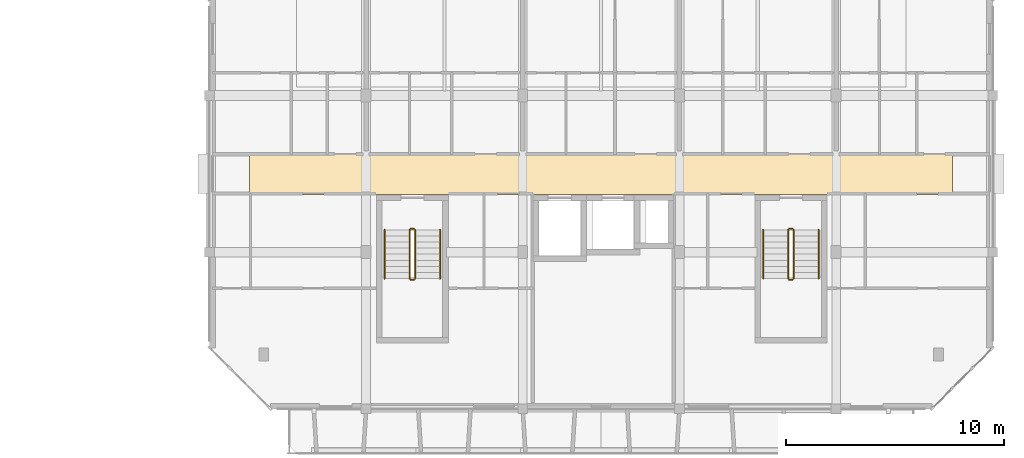
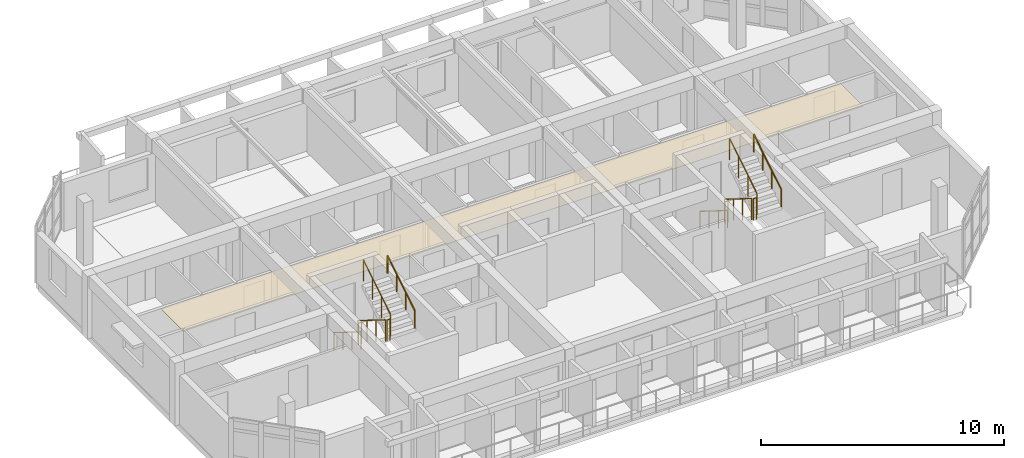
# One storey, part 29 of 30: 12 railings, 1 covering.
"""IFC4 building model written with IfcOpenShell, lengths in metres."""

from ifc_helpers import new_model, si_unit, direction, frame, origin, origin_2d, place, context, subcontext, project, spatial, polyline, circle, outline, extrude, material, layer, layer_set, type_object, element, save


model = new_model("IFC4")

# Units and contexts
model_context = context("Model", 3, precision=1e-05, world=origin(), true_north=direction((0.0, 1.0)))
body_context = subcontext(model_context, "Body", "Model", "MODEL_VIEW")
ifc_project = project(units=[si_unit("LENGTHUNIT", "METRE"), si_unit("AREAUNIT", "SQUARE_METRE"), si_unit("VOLUMEUNIT", "CUBIC_METRE"), si_unit("PLANEANGLEUNIT", "RADIAN"), si_unit("MASSUNIT", "GRAM", prefix="KILO")], contexts=[model_context])

# Site, building, storey
site_placement = place(None, origin())
site = spatial("IfcSite", under=ifc_project, at=site_placement, CompositionType="ELEMENT")
building_placement = place(site_placement, origin())
building = spatial("IfcBuilding", under=site, at=building_placement, Name="Ochrevale Crest", CompositionType="ELEMENT")
storey_placement = place(building_placement, frame((0.0, 0.0, 33.89990234375)))
storey = spatial("IfcBuildingStorey", under=building, at=storey_placement, Name="L10", CompositionType="ELEMENT", Elevation=33.89990234375)

# Covering
ifc_material_1 = material(Name="Gypsum plasterboard", Category="gypsum")
ifc_layer = layer(ifc_material_1, 0.02490234375)
ifc_layer_set = layer_set([ifc_layer], Name="Gypsum plasterboard")
covering_type = type_object("IfcCoveringType", Name="COV-CEIL-GYP", PredefinedType="CEILING", material=ifc_layer_set)
covering_placement = place(storey_placement, frame((0.0, 0.0, 2.280029296875)))
element("IfcCovering", 1, at=covering_placement, inside=storey, type_object=covering_type, Name="Block D L10 acoustic corridor ceiling", PredefinedType="CEILING", context=body_context, shape_type="SweptSolid", body=[
    extrude(outline(polyline([(131.449951171875, 81.860107421875), (163.75, 81.860107421875), (163.75, 83.739990234375), (131.449951171875, 83.739990234375), (131.449951171875, 81.860107421875)])), origin(), (0.0, 0.0, 1.0), 0.025146484375),
])

# Railings
ifc_material_2 = material(Name="Galvanised steel", Category="steel")
railing_type_1 = type_object("IfcRailingType", Name="RL-ST-GUARD", PredefinedType="BALUSTRADE", material=ifc_material_2)
railing_1_placement = place(storey_placement, frame((138.800048828125, 80.22509765625, 0.175048828125)))
element("IfcRailing", 2, at=railing_1_placement, inside=storey, type_object=railing_type_1, Name="L10 ST-D1 stair guard 1", PredefinedType="BALUSTRADE", context=body_context, shape_type="SweptSolid", body=[
    extrude(circle(Radius=0.02392578125, at=origin_2d()), frame((0.0, 0.0, 1.076171875), z_axis=(0.0, -0.847972341737, 0.530040477369), x_axis=(1.0, 0.0, 0.0)), (0.0, 0.0, 1.0), 2.6416015625),
    extrude(circle(Radius=0.02099609375, at=origin_2d()), origin(), (0.0, 0.0, 1.0), 1.052001953125),
    extrude(circle(Radius=0.02099609375, at=origin_2d()), frame((0.0, -0.74658203125, 0.466796875)), (0.0, 0.0, 1.0), 1.052001953125),
    extrude(circle(Radius=0.02099609375, at=origin_2d()), frame((0.0, -1.493408203125, 0.933349609375)), (0.0, 0.0, 1.0), 1.052001953125),
    extrude(circle(Radius=0.02099609375, at=origin_2d()), frame((0.0, -2.239990234375, 1.400146484375)), (0.0, 0.0, 1.0), 1.052001953125),
])
railing_2_placement = place(storey_placement, frame((138.85009765625, 77.93505859375, 1.5751953125)))
element("IfcRailing", 3, at=railing_2_placement, inside=storey, type_object=railing_type_1, Name="L10 ST-D1 stair guard 2", PredefinedType="BALUSTRADE", context=body_context, shape_type="SweptSolid", body=[
    extrude(circle(Radius=0.02392578125, at=origin_2d()), frame((0.0, 0.0, 1.076171875), z_axis=(1.0, 0.0, 0.0), x_axis=(0.0, 1.0, 0.0)), (0.0, 0.0, 1.0), 0.14990234375),
    extrude(circle(Radius=0.02099609375, at=origin_2d()), origin(), (0.0, 0.0, 1.0), 1.052001953125),
    extrude(circle(Radius=0.02099609375, at=origin_2d()), frame((0.14990234375, 0.0, 0.0)), (0.0, 0.0, 1.0), 1.052001953125),
])
railing_3_placement = place(storey_placement, frame((139.050048828125, 77.985107421875, 1.75)))
element("IfcRailing", 4, at=railing_3_placement, inside=storey, type_object=railing_type_1, Name="L10 ST-D1 stair guard 3", PredefinedType="BALUSTRADE", context=body_context, shape_type="SweptSolid", body=[
    extrude(circle(Radius=0.02392578125, at=origin_2d()), frame((0.0, 0.0, 1.076171875), z_axis=(0.0, 0.847972341737, 0.530040477369), x_axis=(-1.0, 0.0, 0.0)), (0.0, 0.0, 1.0), 2.6416015625),
    extrude(circle(Radius=0.02099609375, at=origin_2d()), origin(), (0.0, 0.0, 1.0), 1.052001953125),
    extrude(circle(Radius=0.02099609375, at=origin_2d()), frame((0.0, 0.74658203125, 0.466796875)), (0.0, 0.0, 1.0), 1.052001953125),
    extrude(circle(Radius=0.02099609375, at=origin_2d()), frame((0.0, 1.493408203125, 0.933349609375)), (0.0, 0.0, 1.0), 1.052001953125),
    extrude(circle(Radius=0.02099609375, at=origin_2d()), frame((0.0, 2.239990234375, 1.400146484375)), (0.0, 0.0, 1.0), 1.052001953125),
])
railing_4_placement = place(storey_placement, frame((138.85009765625, 80.27490234375, 0.0)))
element("IfcRailing", 5, at=railing_4_placement, inside=storey, type_object=railing_type_1, Name="L10 ST-D1 stair guard 4", PredefinedType="BALUSTRADE", context=body_context, shape_type="SweptSolid", body=[
    extrude(circle(Radius=0.02392578125, at=origin_2d()), frame((0.0, 0.0, 1.076171875), z_axis=(1.0, 0.0, 0.0), x_axis=(0.0, 1.0, 0.0)), (0.0, 0.0, 1.0), 0.14990234375),
    extrude(circle(Radius=0.02099609375, at=origin_2d()), origin(), (0.0, 0.0, 1.0), 1.052001953125),
    extrude(circle(Radius=0.02099609375, at=origin_2d()), frame((0.14990234375, 0.0, 0.0)), (0.0, 0.0, 1.0), 1.052001953125),
])
railing_5_placement = place(storey_placement, frame((156.199951171875, 80.22509765625, 0.175048828125)))
element("IfcRailing", 6, at=railing_5_placement, inside=storey, type_object=railing_type_1, Name="L10 ST-D2 stair guard 1", PredefinedType="BALUSTRADE", context=body_context, shape_type="SweptSolid", body=[
    extrude(circle(Radius=0.02392578125, at=origin_2d()), frame((0.0, 0.0, 1.076171875), z_axis=(0.0, -0.847972341737, 0.530040477369), x_axis=(1.0, 0.0, 0.0)), (0.0, 0.0, 1.0), 2.6416015625),
    extrude(circle(Radius=0.02099609375, at=origin_2d()), origin(), (0.0, 0.0, 1.0), 1.052001953125),
    extrude(circle(Radius=0.02099609375, at=origin_2d()), frame((0.0, -0.74658203125, 0.466796875)), (0.0, 0.0, 1.0), 1.052001953125),
    extrude(circle(Radius=0.02099609375, at=origin_2d()), frame((0.0, -1.493408203125, 0.933349609375)), (0.0, 0.0, 1.0), 1.052001953125),
    extrude(circle(Radius=0.02099609375, at=origin_2d()), frame((0.0, -2.239990234375, 1.400146484375)), (0.0, 0.0, 1.0), 1.052001953125),
])
railing_6_placement = place(storey_placement, frame((156.25, 77.93505859375, 1.5751953125)))
element("IfcRailing", 7, at=railing_6_placement, inside=storey, type_object=railing_type_1, Name="L10 ST-D2 stair guard 2", PredefinedType="BALUSTRADE", context=body_context, shape_type="SweptSolid", body=[
    extrude(circle(Radius=0.02392578125, at=origin_2d()), frame((0.0, 0.0, 1.076171875), z_axis=(1.0, 0.0, 0.0), x_axis=(0.0, 1.0, 0.0)), (0.0, 0.0, 1.0), 0.14990234375),
    extrude(circle(Radius=0.02099609375, at=origin_2d()), origin(), (0.0, 0.0, 1.0), 1.052001953125),
    extrude(circle(Radius=0.02099609375, at=origin_2d()), frame((0.14990234375, 0.0, 0.0)), (0.0, 0.0, 1.0), 1.052001953125),
])
railing_7_placement = place(storey_placement, frame((156.449951171875, 77.985107421875, 1.75)))
element("IfcRailing", 8, at=railing_7_placement, inside=storey, type_object=railing_type_1, Name="L10 ST-D2 stair guard 3", PredefinedType="BALUSTRADE", context=body_context, shape_type="SweptSolid", body=[
    extrude(circle(Radius=0.02392578125, at=origin_2d()), frame((0.0, 0.0, 1.076171875), z_axis=(0.0, 0.847972341737, 0.530040477369), x_axis=(-1.0, 0.0, 0.0)), (0.0, 0.0, 1.0), 2.6416015625),
    extrude(circle(Radius=0.02099609375, at=origin_2d()), origin(), (0.0, 0.0, 1.0), 1.052001953125),
    extrude(circle(Radius=0.02099609375, at=origin_2d()), frame((0.0, 0.74658203125, 0.466796875)), (0.0, 0.0, 1.0), 1.052001953125),
    extrude(circle(Radius=0.02099609375, at=origin_2d()), frame((0.0, 1.493408203125, 0.933349609375)), (0.0, 0.0, 1.0), 1.052001953125),
    extrude(circle(Radius=0.02099609375, at=origin_2d()), frame((0.0, 2.239990234375, 1.400146484375)), (0.0, 0.0, 1.0), 1.052001953125),
])
railing_8_placement = place(storey_placement, frame((156.25, 80.27490234375, 0.0)))
element("IfcRailing", 9, at=railing_8_placement, inside=storey, type_object=railing_type_1, Name="L10 ST-D2 stair guard 4", PredefinedType="BALUSTRADE", context=body_context, shape_type="SweptSolid", body=[
    extrude(circle(Radius=0.02392578125, at=origin_2d()), frame((0.0, 0.0, 1.076171875), z_axis=(1.0, 0.0, 0.0), x_axis=(0.0, 1.0, 0.0)), (0.0, 0.0, 1.0), 0.14990234375),
    extrude(circle(Radius=0.02099609375, at=origin_2d()), origin(), (0.0, 0.0, 1.0), 1.052001953125),
    extrude(circle(Radius=0.02099609375, at=origin_2d()), frame((0.14990234375, 0.0, 0.0)), (0.0, 0.0, 1.0), 1.052001953125),
])
ifc_material_3 = material(Name="Stainless steel", Category="steel")
railing_type_2 = type_object("IfcRailingType", Name="RL-ST-HRAIL", PredefinedType="HANDRAIL", material=ifc_material_3)
railing_9_placement = place(storey_placement, frame((137.64990234375, 80.22509765625, 0.175048828125)))
element("IfcRailing", 10, at=railing_9_placement, inside=storey, type_object=railing_type_2, Name="L10 ST-D1 stair handrail 1", PredefinedType="HANDRAIL", context=body_context, shape_type="SweptSolid", body=[
    extrude(circle(Radius=0.02392578125, at=origin_2d()), frame((0.0, 0.0, 0.8759765625), z_axis=(0.0, -0.847972341737, 0.530040477369), x_axis=(1.0, 0.0, 0.0)), (0.0, 0.0, 1.0), 2.6416015625),
    extrude(circle(Radius=0.02099609375, at=origin_2d()), origin(), (0.0, 0.0, 1.0), 0.851806640625),
    extrude(circle(Radius=0.02099609375, at=origin_2d()), frame((0.0, -0.74658203125, 0.466796875)), (0.0, 0.0, 1.0), 0.851806640625),
    extrude(circle(Radius=0.02099609375, at=origin_2d()), frame((0.0, -1.493408203125, 0.933349609375)), (0.0, 0.0, 1.0), 0.851806640625),
    extrude(circle(Radius=0.02099609375, at=origin_2d()), frame((0.0, -2.239990234375, 1.400146484375)), (0.0, 0.0, 1.0), 0.851806640625),
])
railing_10_placement = place(storey_placement, frame((140.199951171875, 77.985107421875, 1.75)))
element("IfcRailing", 11, at=railing_10_placement, inside=storey, type_object=railing_type_2, Name="L10 ST-D1 stair handrail 2", PredefinedType="HANDRAIL", context=body_context, shape_type="SweptSolid", body=[
    extrude(circle(Radius=0.02392578125, at=origin_2d()), frame((0.0, 0.0, 0.8759765625), z_axis=(0.0, 0.847972341737, 0.530040477369), x_axis=(-1.0, 0.0, 0.0)), (0.0, 0.0, 1.0), 2.6416015625),
    extrude(circle(Radius=0.02099609375, at=origin_2d()), origin(), (0.0, 0.0, 1.0), 0.851806640625),
    extrude(circle(Radius=0.02099609375, at=origin_2d()), frame((0.0, 0.74658203125, 0.466796875)), (0.0, 0.0, 1.0), 0.851806640625),
    extrude(circle(Radius=0.02099609375, at=origin_2d()), frame((0.0, 1.493408203125, 0.933349609375)), (0.0, 0.0, 1.0), 0.851806640625),
    extrude(circle(Radius=0.02099609375, at=origin_2d()), frame((0.0, 2.239990234375, 1.400146484375)), (0.0, 0.0, 1.0), 0.851806640625),
])
railing_11_placement = place(storey_placement, frame((155.050048828125, 80.22509765625, 0.175048828125)))
element("IfcRailing", 12, at=railing_11_placement, inside=storey, type_object=railing_type_2, Name="L10 ST-D2 stair handrail 1", PredefinedType="HANDRAIL", context=body_context, shape_type="SweptSolid", body=[
    extrude(circle(Radius=0.02392578125, at=origin_2d()), frame((0.0, 0.0, 0.8759765625), z_axis=(0.0, -0.847972341737, 0.530040477369), x_axis=(1.0, 0.0, 0.0)), (0.0, 0.0, 1.0), 2.6416015625),
    extrude(circle(Radius=0.02099609375, at=origin_2d()), origin(), (0.0, 0.0, 1.0), 0.851806640625),
    extrude(circle(Radius=0.02099609375, at=origin_2d()), frame((0.0, -0.74658203125, 0.466796875)), (0.0, 0.0, 1.0), 0.851806640625),
    extrude(circle(Radius=0.02099609375, at=origin_2d()), frame((0.0, -1.493408203125, 0.933349609375)), (0.0, 0.0, 1.0), 0.851806640625),
    extrude(circle(Radius=0.02099609375, at=origin_2d()), frame((0.0, -2.239990234375, 1.400146484375)), (0.0, 0.0, 1.0), 0.851806640625),
])
railing_12_placement = place(storey_placement, frame((157.60009765625, 77.985107421875, 1.75)))
element("IfcRailing", 13, at=railing_12_placement, inside=storey, type_object=railing_type_2, Name="L10 ST-D2 stair handrail 2", PredefinedType="HANDRAIL", context=body_context, shape_type="SweptSolid", body=[
    extrude(circle(Radius=0.02392578125, at=origin_2d()), frame((0.0, 0.0, 0.8759765625), z_axis=(0.0, 0.847972341737, 0.530040477369), x_axis=(-1.0, 0.0, 0.0)), (0.0, 0.0, 1.0), 2.6416015625),
    extrude(circle(Radius=0.02099609375, at=origin_2d()), origin(), (0.0, 0.0, 1.0), 0.851806640625),
    extrude(circle(Radius=0.02099609375, at=origin_2d()), frame((0.0, 0.74658203125, 0.466796875)), (0.0, 0.0, 1.0), 0.851806640625),
    extrude(circle(Radius=0.02099609375, at=origin_2d()), frame((0.0, 1.493408203125, 0.933349609375)), (0.0, 0.0, 1.0), 0.851806640625),
    extrude(circle(Radius=0.02099609375, at=origin_2d()), frame((0.0, 2.239990234375, 1.400146484375)), (0.0, 0.0, 1.0), 0.851806640625),
])

save(model, "model.ifc")
